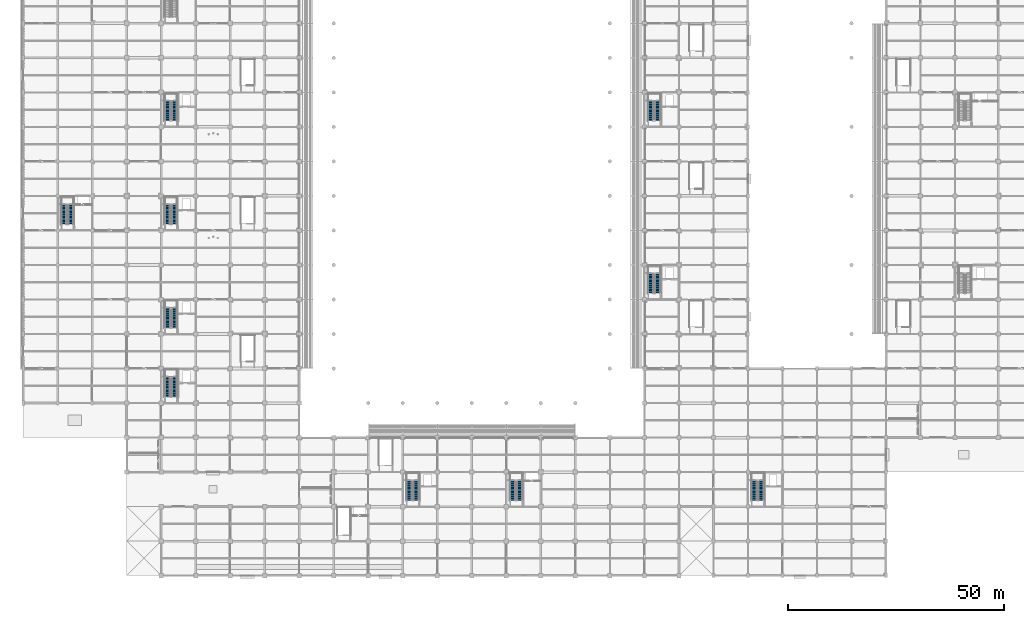
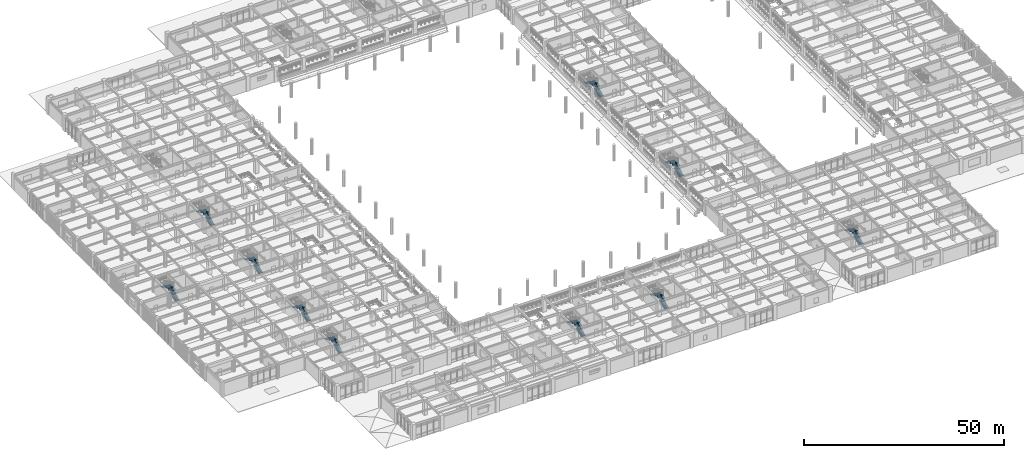
# One storey, part 86 of 117: 20 stair flights, 10 elements without a shape of their own.
"""IFC4 building model written with IfcOpenShell, lengths in metres."""

from ifc_helpers import new_model, si_unit, direction, frame, origin, place, context, subcontext, project, spatial, polyline, outline, extrude, material, type_object, element, aggregate, save


model = new_model("IFC4")

# Units and contexts
model_context = context("Model", 3, precision=1e-05, world=origin(), true_north=direction((0.0, 1.0)))
body_context = subcontext(model_context, "Body", "Model", "MODEL_VIEW")
ifc_project = project(units=[si_unit("LENGTHUNIT", "METRE"), si_unit("AREAUNIT", "SQUARE_METRE"), si_unit("VOLUMEUNIT", "CUBIC_METRE"), si_unit("PLANEANGLEUNIT", "RADIAN"), si_unit("MASSUNIT", "GRAM", prefix="KILO")], contexts=[model_context])

# Site, building, storey
site_placement = place(None, origin())
site = spatial("IfcSite", under=ifc_project, at=site_placement, CompositionType="ELEMENT")
building_placement = place(site_placement, origin())
building = spatial("IfcBuilding", under=site, at=building_placement, Name="Haebicheon Civic Stadium", CompositionType="ELEMENT")
storey_placement = place(building_placement, frame((0.0, 0.0, 4.800048828125)))
storey = spatial("IfcBuildingStorey", under=building, at=storey_placement, Name="L02", CompositionType="ELEMENT", Elevation=4.800048828125)

# Stair, stair flights
ifc_material_1 = material(Name="Concrete C40/50", Category="concrete")
stair_type_1 = type_object("IfcStairType", Name="STR-DL-W126-H48", PredefinedType="HALF_TURN_STAIR", material=ifc_material_1)
stair_1_placement = place(storey_placement, origin())
stair_1 = element("IfcStair", 1, at=stair_1_placement, inside=storey, type_object=stair_type_1, material=ifc_material_1, Name="L02 Escape stair ST-01", PredefinedType="HALF_TURN_STAIR")
ifc_material_2 = material(Name="Concrete C40/50", Category="concrete")
stair_flight_type_1 = type_object("IfcStairFlightType", Name="STF-DL-W126-H48", PredefinedType="STRAIGHT", material=ifc_material_2)
stair_flight_1_placement = place(storey_placement, frame((35.110107421875, 41.449951171875, 0.0), z_axis=(0.0, 0.0, 1.0), x_axis=(0.0, 1.0, 0.0)))
stair_flight_1 = element("IfcStairFlight", 2, at=stair_flight_1_placement, type_object=stair_flight_type_1, material=ifc_material_2, Name="ST-01 flight 1", NumberOfRisers=16, NumberOfTreads=15, PredefinedType="STRAIGHT", RiserHeight=0.15, TreadLength=0.3, context=body_context, shape_type="SweptSolid", body=[
    extrude(outline(polyline([(0.0, 0.0), (0.0, 0.14990234375), (0.300048828125, 0.14990234375), (0.300048828125, 0.300048828125), (0.60009765625, 0.300048828125), (0.60009765625, 0.449951171875), (0.89990234375, 0.449951171875), (0.89990234375, 0.60009765625), (1.199951171875, 0.60009765625), (1.199951171875, 0.75), (1.5, 0.75), (1.5, 0.89990234375), (1.800048828125, 0.89990234375), (1.800048828125, 1.050048828125), (2.10009765625, 1.050048828125), (2.10009765625, 1.199951171875), (2.39990234375, 1.199951171875), (2.39990234375, 1.35009765625), (2.699951171875, 1.35009765625), (2.699951171875, 1.5), (3.0, 1.5), (3.0, 1.64990234375), (3.300048828125, 1.64990234375), (3.300048828125, 1.800048828125), (3.60009765625, 1.800048828125), (3.60009765625, 1.949951171875), (3.89990234375, 1.949951171875), (3.89990234375, 2.10009765625), (4.199951171875, 2.10009765625), (4.199951171875, 2.25), (4.5, 2.25), (4.5, 2.39990234375), (4.5, 2.0712890625), (0.357666015625, 0.0), (0.0, 0.0)])), frame((0.0, 0.6298828125, 0.0), z_axis=(0.0, -1.0, 0.0), x_axis=(1.0, 0.0, 0.0)), (0.0, 0.0, 1.0), 1.260009765625),
])
stair_flight_2_placement = place(storey_placement, frame((33.469970703125, 45.949951171875, 2.39990234375), z_axis=(0.0, 0.0, 1.0), x_axis=(0.0, -1.0, 0.0)))
stair_flight_2 = element("IfcStairFlight", 3, at=stair_flight_2_placement, type_object=stair_flight_type_1, material=ifc_material_2, Name="ST-01 flight 2", NumberOfRisers=16, NumberOfTreads=15, PredefinedType="STRAIGHT", RiserHeight=0.15, TreadLength=0.3, context=body_context, shape_type="SweptSolid", body=[
    extrude(outline(polyline([(0.0, 0.0), (0.0, 0.14990234375), (0.300048828125, 0.14990234375), (0.300048828125, 0.300048828125), (0.60009765625, 0.300048828125), (0.60009765625, 0.449951171875), (0.89990234375, 0.449951171875), (0.89990234375, 0.60009765625), (1.199951171875, 0.60009765625), (1.199951171875, 0.75), (1.5, 0.75), (1.5, 0.89990234375), (1.800048828125, 0.89990234375), (1.800048828125, 1.050048828125), (2.10009765625, 1.050048828125), (2.10009765625, 1.199951171875), (2.39990234375, 1.199951171875), (2.39990234375, 1.35009765625), (2.699951171875, 1.35009765625), (2.699951171875, 1.5), (3.0, 1.5), (3.0, 1.64990234375), (3.300048828125, 1.64990234375), (3.300048828125, 1.800048828125), (3.60009765625, 1.800048828125), (3.60009765625, 1.949951171875), (3.89990234375, 1.949951171875), (3.89990234375, 2.10009765625), (4.199951171875, 2.10009765625), (4.199951171875, 2.25), (4.5, 2.25), (4.5, 2.39990234375), (4.5, 2.0712890625), (0.357666015625, 0.0), (0.0, 0.0)])), frame((0.0, 0.6298828125, 0.0), z_axis=(0.0, -1.0, 0.0), x_axis=(1.0, 0.0, 0.0)), (0.0, 0.0, 1.0), 1.260009765625),
])
aggregate(stair_1, [stair_flight_1, stair_flight_2])

stair_2_placement = place(storey_placement, origin())
stair_2 = element("IfcStair", 4, at=stair_2_placement, inside=storey, type_object=stair_type_1, material=ifc_material_1, Name="L02 Escape stair ST-03", PredefinedType="HALF_TURN_STAIR")
stair_flight_3_placement = place(storey_placement, frame((35.110107421875, 81.449951171875, 0.0), z_axis=(0.0, 0.0, 1.0), x_axis=(0.0, 1.0, 0.0)))
stair_flight_3 = element("IfcStairFlight", 5, at=stair_flight_3_placement, type_object=stair_flight_type_1, material=ifc_material_2, Name="ST-03 flight 1", NumberOfRisers=16, NumberOfTreads=15, PredefinedType="STRAIGHT", RiserHeight=0.15, TreadLength=0.3, context=body_context, shape_type="SweptSolid", body=[
    extrude(outline(polyline([(0.0, 0.0), (0.0, 0.14990234375), (0.300048828125, 0.14990234375), (0.300048828125, 0.300048828125), (0.60009765625, 0.300048828125), (0.60009765625, 0.449951171875), (0.89990234375, 0.449951171875), (0.89990234375, 0.60009765625), (1.199951171875, 0.60009765625), (1.199951171875, 0.75), (1.5, 0.75), (1.5, 0.89990234375), (1.800048828125, 0.89990234375), (1.800048828125, 1.050048828125), (2.10009765625, 1.050048828125), (2.10009765625, 1.199951171875), (2.39990234375, 1.199951171875), (2.39990234375, 1.35009765625), (2.699951171875, 1.35009765625), (2.699951171875, 1.5), (3.0, 1.5), (3.0, 1.64990234375), (3.300048828125, 1.64990234375), (3.300048828125, 1.800048828125), (3.60009765625, 1.800048828125), (3.60009765625, 1.949951171875), (3.89990234375, 1.949951171875), (3.89990234375, 2.10009765625), (4.199951171875, 2.10009765625), (4.199951171875, 2.25), (4.5, 2.25), (4.5, 2.39990234375), (4.5, 2.0712890625), (0.357666015625, 0.0), (0.0, 0.0)])), frame((0.0, 0.6298828125, 0.0), z_axis=(0.0, -1.0, 0.0), x_axis=(1.0, 0.0, 0.0)), (0.0, 0.0, 1.0), 1.260009765625),
])
stair_flight_4_placement = place(storey_placement, frame((33.469970703125, 85.949951171875, 2.39990234375), z_axis=(0.0, 0.0, 1.0), x_axis=(0.0, -1.0, 0.0)))
stair_flight_4 = element("IfcStairFlight", 6, at=stair_flight_4_placement, type_object=stair_flight_type_1, material=ifc_material_2, Name="ST-03 flight 2", NumberOfRisers=16, NumberOfTreads=15, PredefinedType="STRAIGHT", RiserHeight=0.15, TreadLength=0.3, context=body_context, shape_type="SweptSolid", body=[
    extrude(outline(polyline([(0.0, 0.0), (0.0, 0.14990234375), (0.300048828125, 0.14990234375), (0.300048828125, 0.300048828125), (0.60009765625, 0.300048828125), (0.60009765625, 0.449951171875), (0.89990234375, 0.449951171875), (0.89990234375, 0.60009765625), (1.199951171875, 0.60009765625), (1.199951171875, 0.75), (1.5, 0.75), (1.5, 0.89990234375), (1.800048828125, 0.89990234375), (1.800048828125, 1.050048828125), (2.10009765625, 1.050048828125), (2.10009765625, 1.199951171875), (2.39990234375, 1.199951171875), (2.39990234375, 1.35009765625), (2.699951171875, 1.35009765625), (2.699951171875, 1.5), (3.0, 1.5), (3.0, 1.64990234375), (3.300048828125, 1.64990234375), (3.300048828125, 1.800048828125), (3.60009765625, 1.800048828125), (3.60009765625, 1.949951171875), (3.89990234375, 1.949951171875), (3.89990234375, 2.10009765625), (4.199951171875, 2.10009765625), (4.199951171875, 2.25), (4.5, 2.25), (4.5, 2.39990234375), (4.5, 2.0712890625), (0.357666015625, 0.0), (0.0, 0.0)])), frame((0.0, 0.6298828125, 0.0), z_axis=(0.0, -1.0, 0.0), x_axis=(1.0, 0.0, 0.0)), (0.0, 0.0, 1.0), 1.260009765625),
])
aggregate(stair_2, [stair_flight_3, stair_flight_4])

stair_3_placement = place(storey_placement, origin())
stair_3 = element("IfcStair", 7, at=stair_3_placement, inside=storey, type_object=stair_type_1, material=ifc_material_1, Name="L02 Escape stair ST-07", PredefinedType="HALF_TURN_STAIR")
stair_flight_5_placement = place(storey_placement, frame((115.110107421875, 17.449951171875, 0.0), z_axis=(0.0, 0.0, 1.0), x_axis=(0.0, 1.0, 0.0)))
stair_flight_5 = element("IfcStairFlight", 8, at=stair_flight_5_placement, type_object=stair_flight_type_1, material=ifc_material_2, Name="ST-07 flight 1", NumberOfRisers=16, NumberOfTreads=15, PredefinedType="STRAIGHT", RiserHeight=0.15, TreadLength=0.3, context=body_context, shape_type="SweptSolid", body=[
    extrude(outline(polyline([(0.0, 0.0), (0.0, 0.14990234375), (0.300048828125, 0.14990234375), (0.300048828125, 0.300048828125), (0.60009765625, 0.300048828125), (0.60009765625, 0.449951171875), (0.89990234375, 0.449951171875), (0.89990234375, 0.60009765625), (1.199951171875, 0.60009765625), (1.199951171875, 0.75), (1.5, 0.75), (1.5, 0.89990234375), (1.800048828125, 0.89990234375), (1.800048828125, 1.050048828125), (2.10009765625, 1.050048828125), (2.10009765625, 1.199951171875), (2.39990234375, 1.199951171875), (2.39990234375, 1.35009765625), (2.699951171875, 1.35009765625), (2.699951171875, 1.5), (3.0, 1.5), (3.0, 1.64990234375), (3.300048828125, 1.64990234375), (3.300048828125, 1.800048828125), (3.60009765625, 1.800048828125), (3.60009765625, 1.949951171875), (3.89990234375, 1.949951171875), (3.89990234375, 2.10009765625), (4.199951171875, 2.10009765625), (4.199951171875, 2.25), (4.5, 2.25), (4.5, 2.39990234375), (4.5, 2.0712890625), (0.357666015625, 0.0), (0.0, 0.0)])), frame((0.0, 0.6298828125, 0.0), z_axis=(0.0, -1.0, 0.0), x_axis=(1.0, 0.0, 0.0)), (0.0, 0.0, 1.0), 1.260009765625),
])
stair_flight_6_placement = place(storey_placement, frame((113.469970703125, 21.949951171875, 2.39990234375), z_axis=(0.0, 0.0, 1.0), x_axis=(0.0, -1.0, 0.0)))
stair_flight_6 = element("IfcStairFlight", 9, at=stair_flight_6_placement, type_object=stair_flight_type_1, material=ifc_material_2, Name="ST-07 flight 2", NumberOfRisers=16, NumberOfTreads=15, PredefinedType="STRAIGHT", RiserHeight=0.15, TreadLength=0.3, context=body_context, shape_type="SweptSolid", body=[
    extrude(outline(polyline([(0.0, 0.0), (0.0, 0.14990234375), (0.300048828125, 0.14990234375), (0.300048828125, 0.300048828125), (0.60009765625, 0.300048828125), (0.60009765625, 0.449951171875), (0.89990234375, 0.449951171875), (0.89990234375, 0.60009765625), (1.199951171875, 0.60009765625), (1.199951171875, 0.75), (1.5, 0.75), (1.5, 0.89990234375), (1.800048828125, 0.89990234375), (1.800048828125, 1.050048828125), (2.10009765625, 1.050048828125), (2.10009765625, 1.199951171875), (2.39990234375, 1.199951171875), (2.39990234375, 1.35009765625), (2.699951171875, 1.35009765625), (2.699951171875, 1.5), (3.0, 1.5), (3.0, 1.64990234375), (3.300048828125, 1.64990234375), (3.300048828125, 1.800048828125), (3.60009765625, 1.800048828125), (3.60009765625, 1.949951171875), (3.89990234375, 1.949951171875), (3.89990234375, 2.10009765625), (4.199951171875, 2.10009765625), (4.199951171875, 2.25), (4.5, 2.25), (4.5, 2.39990234375), (4.5, 2.0712890625), (0.357666015625, 0.0), (0.0, 0.0)])), frame((0.0, 0.6298828125, 0.0), z_axis=(0.0, -1.0, 0.0), x_axis=(1.0, 0.0, 0.0)), (0.0, 0.0, 1.0), 1.260009765625),
])
aggregate(stair_3, [stair_flight_5, stair_flight_6])

stair_4_placement = place(storey_placement, origin())
stair_4 = element("IfcStair", 10, at=stair_4_placement, inside=storey, type_object=stair_type_1, material=ifc_material_1, Name="L02 Escape stair ST-11", PredefinedType="HALF_TURN_STAIR")
stair_flight_7_placement = place(storey_placement, frame((147.110107421875, 105.449951171875, 0.0), z_axis=(0.0, 0.0, 1.0), x_axis=(0.0, 1.0, 0.0)))
stair_flight_7 = element("IfcStairFlight", 11, at=stair_flight_7_placement, type_object=stair_flight_type_1, material=ifc_material_2, Name="ST-11 flight 1", NumberOfRisers=16, NumberOfTreads=15, PredefinedType="STRAIGHT", RiserHeight=0.15, TreadLength=0.3, context=body_context, shape_type="SweptSolid", body=[
    extrude(outline(polyline([(0.0, 0.0), (0.0, 0.14990234375), (0.300048828125, 0.14990234375), (0.300048828125, 0.300048828125), (0.60009765625, 0.300048828125), (0.60009765625, 0.449951171875), (0.89990234375, 0.449951171875), (0.89990234375, 0.60009765625), (1.199951171875, 0.60009765625), (1.199951171875, 0.75), (1.5, 0.75), (1.5, 0.89990234375), (1.800048828125, 0.89990234375), (1.800048828125, 1.050048828125), (2.10009765625, 1.050048828125), (2.10009765625, 1.199951171875), (2.39990234375, 1.199951171875), (2.39990234375, 1.35009765625), (2.699951171875, 1.35009765625), (2.699951171875, 1.5), (3.0, 1.5), (3.0, 1.64990234375), (3.300048828125, 1.64990234375), (3.300048828125, 1.800048828125), (3.60009765625, 1.800048828125), (3.60009765625, 1.949951171875), (3.89990234375, 1.949951171875), (3.89990234375, 2.10009765625), (4.199951171875, 2.10009765625), (4.199951171875, 2.25), (4.5, 2.25), (4.5, 2.39990234375), (4.5, 2.0712890625), (0.357666015625, 0.0), (0.0, 0.0)])), frame((0.0, 0.6298828125, 0.0), z_axis=(0.0, -1.0, 0.0), x_axis=(1.0, 0.0, 0.0)), (0.0, 0.0, 1.0), 1.260009765625),
])
stair_flight_8_placement = place(storey_placement, frame((145.469970703125, 109.949951171875, 2.39990234375), z_axis=(0.0, 0.0, 1.0), x_axis=(0.0, -1.0, 0.0)))
stair_flight_8 = element("IfcStairFlight", 12, at=stair_flight_8_placement, type_object=stair_flight_type_1, material=ifc_material_2, Name="ST-11 flight 2", NumberOfRisers=16, NumberOfTreads=15, PredefinedType="STRAIGHT", RiserHeight=0.15, TreadLength=0.3, context=body_context, shape_type="SweptSolid", body=[
    extrude(outline(polyline([(0.0, 0.0), (0.0, 0.14990234375), (0.300048828125, 0.14990234375), (0.300048828125, 0.300048828125), (0.60009765625, 0.300048828125), (0.60009765625, 0.449951171875), (0.89990234375, 0.449951171875), (0.89990234375, 0.60009765625), (1.199951171875, 0.60009765625), (1.199951171875, 0.75), (1.5, 0.75), (1.5, 0.89990234375), (1.800048828125, 0.89990234375), (1.800048828125, 1.050048828125), (2.10009765625, 1.050048828125), (2.10009765625, 1.199951171875), (2.39990234375, 1.199951171875), (2.39990234375, 1.35009765625), (2.699951171875, 1.35009765625), (2.699951171875, 1.5), (3.0, 1.5), (3.0, 1.64990234375), (3.300048828125, 1.64990234375), (3.300048828125, 1.800048828125), (3.60009765625, 1.800048828125), (3.60009765625, 1.949951171875), (3.89990234375, 1.949951171875), (3.89990234375, 2.10009765625), (4.199951171875, 2.10009765625), (4.199951171875, 2.25), (4.5, 2.25), (4.5, 2.39990234375), (4.5, 2.0712890625), (0.357666015625, 0.0), (0.0, 0.0)])), frame((0.0, 0.6298828125, 0.0), z_axis=(0.0, -1.0, 0.0), x_axis=(1.0, 0.0, 0.0)), (0.0, 0.0, 1.0), 1.260009765625),
])
aggregate(stair_4, [stair_flight_7, stair_flight_8])

stair_5_placement = place(storey_placement, origin())
stair_5 = element("IfcStair", 13, at=stair_5_placement, inside=storey, type_object=stair_type_1, material=ifc_material_1, Name="L02 Escape stair ST-15", PredefinedType="HALF_TURN_STAIR")
stair_flight_9_placement = place(storey_placement, frame((11.110107421875, 81.449951171875, 0.0), z_axis=(0.0, 0.0, 1.0), x_axis=(0.0, 1.0, 0.0)))
stair_flight_9 = element("IfcStairFlight", 14, at=stair_flight_9_placement, type_object=stair_flight_type_1, material=ifc_material_2, Name="ST-15 flight 1", NumberOfRisers=16, NumberOfTreads=15, PredefinedType="STRAIGHT", RiserHeight=0.15, TreadLength=0.3, context=body_context, shape_type="SweptSolid", body=[
    extrude(outline(polyline([(0.0, 0.0), (0.0, 0.14990234375), (0.300048828125, 0.14990234375), (0.300048828125, 0.300048828125), (0.60009765625, 0.300048828125), (0.60009765625, 0.449951171875), (0.89990234375, 0.449951171875), (0.89990234375, 0.60009765625), (1.199951171875, 0.60009765625), (1.199951171875, 0.75), (1.5, 0.75), (1.5, 0.89990234375), (1.800048828125, 0.89990234375), (1.800048828125, 1.050048828125), (2.10009765625, 1.050048828125), (2.10009765625, 1.199951171875), (2.39990234375, 1.199951171875), (2.39990234375, 1.35009765625), (2.699951171875, 1.35009765625), (2.699951171875, 1.5), (3.0, 1.5), (3.0, 1.64990234375), (3.300048828125, 1.64990234375), (3.300048828125, 1.800048828125), (3.60009765625, 1.800048828125), (3.60009765625, 1.949951171875), (3.89990234375, 1.949951171875), (3.89990234375, 2.10009765625), (4.199951171875, 2.10009765625), (4.199951171875, 2.25), (4.5, 2.25), (4.5, 2.39990234375), (4.5, 2.0712890625), (0.357666015625, 0.0), (0.0, 0.0)])), frame((0.0, 0.6298828125, 0.0), z_axis=(0.0, -1.0, 0.0), x_axis=(1.0, 0.0, 0.0)), (0.0, 0.0, 1.0), 1.260009765625),
])
stair_flight_10_placement = place(storey_placement, frame((9.469970703125, 85.949951171875, 2.39990234375), z_axis=(0.0, 0.0, 1.0), x_axis=(0.0, -1.0, 0.0)))
stair_flight_10 = element("IfcStairFlight", 15, at=stair_flight_10_placement, type_object=stair_flight_type_1, material=ifc_material_2, Name="ST-15 flight 2", NumberOfRisers=16, NumberOfTreads=15, PredefinedType="STRAIGHT", RiserHeight=0.15, TreadLength=0.3, context=body_context, shape_type="SweptSolid", body=[
    extrude(outline(polyline([(0.0, 0.0), (0.0, 0.14990234375), (0.300048828125, 0.14990234375), (0.300048828125, 0.300048828125), (0.60009765625, 0.300048828125), (0.60009765625, 0.449951171875), (0.89990234375, 0.449951171875), (0.89990234375, 0.60009765625), (1.199951171875, 0.60009765625), (1.199951171875, 0.75), (1.5, 0.75), (1.5, 0.89990234375), (1.800048828125, 0.89990234375), (1.800048828125, 1.050048828125), (2.10009765625, 1.050048828125), (2.10009765625, 1.199951171875), (2.39990234375, 1.199951171875), (2.39990234375, 1.35009765625), (2.699951171875, 1.35009765625), (2.699951171875, 1.5), (3.0, 1.5), (3.0, 1.64990234375), (3.300048828125, 1.64990234375), (3.300048828125, 1.800048828125), (3.60009765625, 1.800048828125), (3.60009765625, 1.949951171875), (3.89990234375, 1.949951171875), (3.89990234375, 2.10009765625), (4.199951171875, 2.10009765625), (4.199951171875, 2.25), (4.5, 2.25), (4.5, 2.39990234375), (4.5, 2.0712890625), (0.357666015625, 0.0), (0.0, 0.0)])), frame((0.0, 0.6298828125, 0.0), z_axis=(0.0, -1.0, 0.0), x_axis=(1.0, 0.0, 0.0)), (0.0, 0.0, 1.0), 1.260009765625),
])
aggregate(stair_5, [stair_flight_9, stair_flight_10])

ifc_material_3 = material(Name="Concrete C40/50", Category="concrete")
stair_type_2 = type_object("IfcStairType", Name="STR-DL-W128-H48", PredefinedType="HALF_TURN_STAIR", material=ifc_material_3)
stair_6_placement = place(storey_placement, origin())
stair_6 = element("IfcStair", 16, at=stair_6_placement, inside=storey, type_object=stair_type_2, material=ifc_material_3, Name="L02 Escape stair ST-02", PredefinedType="HALF_TURN_STAIR")
ifc_material_4 = material(Name="Concrete C40/50", Category="concrete")
stair_flight_type_2 = type_object("IfcStairFlightType", Name="STF-DL-W128-H48", PredefinedType="STRAIGHT", material=ifc_material_4)
stair_flight_11_placement = place(storey_placement, frame((35.10009765625, 57.449951171875, 0.0), z_axis=(0.0, 0.0, 1.0), x_axis=(0.0, 1.0, 0.0)))
stair_flight_11 = element("IfcStairFlight", 17, at=stair_flight_11_placement, type_object=stair_flight_type_2, material=ifc_material_4, Name="ST-02 flight 1", NumberOfRisers=16, NumberOfTreads=15, PredefinedType="STRAIGHT", RiserHeight=0.15, TreadLength=0.3, context=body_context, shape_type="SweptSolid", body=[
    extrude(outline(polyline([(0.0, 0.0), (0.0, 0.14990234375), (0.300048828125, 0.14990234375), (0.300048828125, 0.300048828125), (0.60009765625, 0.300048828125), (0.60009765625, 0.449951171875), (0.89990234375, 0.449951171875), (0.89990234375, 0.60009765625), (1.199951171875, 0.60009765625), (1.199951171875, 0.75), (1.5, 0.75), (1.5, 0.89990234375), (1.800048828125, 0.89990234375), (1.800048828125, 1.050048828125), (2.10009765625, 1.050048828125), (2.10009765625, 1.199951171875), (2.39990234375, 1.199951171875), (2.39990234375, 1.35009765625), (2.699951171875, 1.35009765625), (2.699951171875, 1.5), (3.0, 1.5), (3.0, 1.64990234375), (3.300048828125, 1.64990234375), (3.300048828125, 1.800048828125), (3.60009765625, 1.800048828125), (3.60009765625, 1.949951171875), (3.89990234375, 1.949951171875), (3.89990234375, 2.10009765625), (4.199951171875, 2.10009765625), (4.199951171875, 2.25), (4.5, 2.25), (4.5, 2.39990234375), (4.5, 2.0712890625), (0.357666015625, 0.0), (0.0, 0.0)])), frame((0.0, 0.64013671875, 0.0), z_axis=(0.0, -1.0, 0.0), x_axis=(1.0, 0.0, 0.0)), (0.0, 0.0, 1.0), 1.280029296875),
])
stair_flight_12_placement = place(storey_placement, frame((33.47998046875, 61.949951171875, 2.39990234375), z_axis=(0.0, 0.0, 1.0), x_axis=(0.0, -1.0, 0.0)))
stair_flight_12 = element("IfcStairFlight", 18, at=stair_flight_12_placement, type_object=stair_flight_type_2, material=ifc_material_4, Name="ST-02 flight 2", NumberOfRisers=16, NumberOfTreads=15, PredefinedType="STRAIGHT", RiserHeight=0.15, TreadLength=0.3, context=body_context, shape_type="SweptSolid", body=[
    extrude(outline(polyline([(0.0, 0.0), (0.0, 0.14990234375), (0.300048828125, 0.14990234375), (0.300048828125, 0.300048828125), (0.60009765625, 0.300048828125), (0.60009765625, 0.449951171875), (0.89990234375, 0.449951171875), (0.89990234375, 0.60009765625), (1.199951171875, 0.60009765625), (1.199951171875, 0.75), (1.5, 0.75), (1.5, 0.89990234375), (1.800048828125, 0.89990234375), (1.800048828125, 1.050048828125), (2.10009765625, 1.050048828125), (2.10009765625, 1.199951171875), (2.39990234375, 1.199951171875), (2.39990234375, 1.35009765625), (2.699951171875, 1.35009765625), (2.699951171875, 1.5), (3.0, 1.5), (3.0, 1.64990234375), (3.300048828125, 1.64990234375), (3.300048828125, 1.800048828125), (3.60009765625, 1.800048828125), (3.60009765625, 1.949951171875), (3.89990234375, 1.949951171875), (3.89990234375, 2.10009765625), (4.199951171875, 2.10009765625), (4.199951171875, 2.25), (4.5, 2.25), (4.5, 2.39990234375), (4.5, 2.0712890625), (0.357666015625, 0.0), (0.0, 0.0)])), frame((0.0, 0.64013671875, 0.0), z_axis=(0.0, -1.0, 0.0), x_axis=(1.0, 0.0, 0.0)), (0.0, 0.0, 1.0), 1.280029296875),
])
aggregate(stair_6, [stair_flight_11, stair_flight_12])

stair_7_placement = place(storey_placement, origin())
stair_7 = element("IfcStair", 19, at=stair_7_placement, inside=storey, type_object=stair_type_2, material=ifc_material_3, Name="L02 Escape stair ST-04", PredefinedType="HALF_TURN_STAIR")
stair_flight_13_placement = place(storey_placement, frame((35.10009765625, 105.449951171875, 0.0), z_axis=(0.0, 0.0, 1.0), x_axis=(0.0, 1.0, 0.0)))
stair_flight_13 = element("IfcStairFlight", 20, at=stair_flight_13_placement, type_object=stair_flight_type_2, material=ifc_material_4, Name="ST-04 flight 1", NumberOfRisers=16, NumberOfTreads=15, PredefinedType="STRAIGHT", RiserHeight=0.15, TreadLength=0.3, context=body_context, shape_type="SweptSolid", body=[
    extrude(outline(polyline([(0.0, 0.0), (0.0, 0.14990234375), (0.300048828125, 0.14990234375), (0.300048828125, 0.300048828125), (0.60009765625, 0.300048828125), (0.60009765625, 0.449951171875), (0.89990234375, 0.449951171875), (0.89990234375, 0.60009765625), (1.199951171875, 0.60009765625), (1.199951171875, 0.75), (1.5, 0.75), (1.5, 0.89990234375), (1.800048828125, 0.89990234375), (1.800048828125, 1.050048828125), (2.10009765625, 1.050048828125), (2.10009765625, 1.199951171875), (2.39990234375, 1.199951171875), (2.39990234375, 1.35009765625), (2.699951171875, 1.35009765625), (2.699951171875, 1.5), (3.0, 1.5), (3.0, 1.64990234375), (3.300048828125, 1.64990234375), (3.300048828125, 1.800048828125), (3.60009765625, 1.800048828125), (3.60009765625, 1.949951171875), (3.89990234375, 1.949951171875), (3.89990234375, 2.10009765625), (4.199951171875, 2.10009765625), (4.199951171875, 2.25), (4.5, 2.25), (4.5, 2.39990234375), (4.5, 2.0712890625), (0.357666015625, 0.0), (0.0, 0.0)])), frame((0.0, 0.64013671875, 0.0), z_axis=(0.0, -1.0, 0.0), x_axis=(1.0, 0.0, 0.0)), (0.0, 0.0, 1.0), 1.280029296875),
])
stair_flight_14_placement = place(storey_placement, frame((33.47998046875, 109.949951171875, 2.39990234375), z_axis=(0.0, 0.0, 1.0), x_axis=(0.0, -1.0, 0.0)))
stair_flight_14 = element("IfcStairFlight", 21, at=stair_flight_14_placement, type_object=stair_flight_type_2, material=ifc_material_4, Name="ST-04 flight 2", NumberOfRisers=16, NumberOfTreads=15, PredefinedType="STRAIGHT", RiserHeight=0.15, TreadLength=0.3, context=body_context, shape_type="SweptSolid", body=[
    extrude(outline(polyline([(0.0, 0.0), (0.0, 0.14990234375), (0.300048828125, 0.14990234375), (0.300048828125, 0.300048828125), (0.60009765625, 0.300048828125), (0.60009765625, 0.449951171875), (0.89990234375, 0.449951171875), (0.89990234375, 0.60009765625), (1.199951171875, 0.60009765625), (1.199951171875, 0.75), (1.5, 0.75), (1.5, 0.89990234375), (1.800048828125, 0.89990234375), (1.800048828125, 1.050048828125), (2.10009765625, 1.050048828125), (2.10009765625, 1.199951171875), (2.39990234375, 1.199951171875), (2.39990234375, 1.35009765625), (2.699951171875, 1.35009765625), (2.699951171875, 1.5), (3.0, 1.5), (3.0, 1.64990234375), (3.300048828125, 1.64990234375), (3.300048828125, 1.800048828125), (3.60009765625, 1.800048828125), (3.60009765625, 1.949951171875), (3.89990234375, 1.949951171875), (3.89990234375, 2.10009765625), (4.199951171875, 2.10009765625), (4.199951171875, 2.25), (4.5, 2.25), (4.5, 2.39990234375), (4.5, 2.0712890625), (0.357666015625, 0.0), (0.0, 0.0)])), frame((0.0, 0.64013671875, 0.0), z_axis=(0.0, -1.0, 0.0), x_axis=(1.0, 0.0, 0.0)), (0.0, 0.0, 1.0), 1.280029296875),
])
aggregate(stair_7, [stair_flight_13, stair_flight_14])

stair_8_placement = place(storey_placement, origin())
stair_8 = element("IfcStair", 22, at=stair_8_placement, inside=storey, type_object=stair_type_2, material=ifc_material_3, Name="L02 Escape stair ST-06", PredefinedType="HALF_TURN_STAIR")
stair_flight_15_placement = place(storey_placement, frame((91.10009765625, 17.449951171875, 0.0), z_axis=(0.0, 0.0, 1.0), x_axis=(0.0, 1.0, 0.0)))
stair_flight_15 = element("IfcStairFlight", 23, at=stair_flight_15_placement, type_object=stair_flight_type_2, material=ifc_material_4, Name="ST-06 flight 1", NumberOfRisers=16, NumberOfTreads=15, PredefinedType="STRAIGHT", RiserHeight=0.15, TreadLength=0.3, context=body_context, shape_type="SweptSolid", body=[
    extrude(outline(polyline([(0.0, 0.0), (0.0, 0.14990234375), (0.300048828125, 0.14990234375), (0.300048828125, 0.300048828125), (0.60009765625, 0.300048828125), (0.60009765625, 0.449951171875), (0.89990234375, 0.449951171875), (0.89990234375, 0.60009765625), (1.199951171875, 0.60009765625), (1.199951171875, 0.75), (1.5, 0.75), (1.5, 0.89990234375), (1.800048828125, 0.89990234375), (1.800048828125, 1.050048828125), (2.10009765625, 1.050048828125), (2.10009765625, 1.199951171875), (2.39990234375, 1.199951171875), (2.39990234375, 1.35009765625), (2.699951171875, 1.35009765625), (2.699951171875, 1.5), (3.0, 1.5), (3.0, 1.64990234375), (3.300048828125, 1.64990234375), (3.300048828125, 1.800048828125), (3.60009765625, 1.800048828125), (3.60009765625, 1.949951171875), (3.89990234375, 1.949951171875), (3.89990234375, 2.10009765625), (4.199951171875, 2.10009765625), (4.199951171875, 2.25), (4.5, 2.25), (4.5, 2.39990234375), (4.5, 2.0712890625), (0.357666015625, 0.0), (0.0, 0.0)])), frame((0.0, 0.64013671875, 0.0), z_axis=(0.0, -1.0, 0.0), x_axis=(1.0, 0.0, 0.0)), (0.0, 0.0, 1.0), 1.280029296875),
])
stair_flight_16_placement = place(storey_placement, frame((89.47998046875, 21.949951171875, 2.39990234375), z_axis=(0.0, 0.0, 1.0), x_axis=(0.0, -1.0, 0.0)))
stair_flight_16 = element("IfcStairFlight", 24, at=stair_flight_16_placement, type_object=stair_flight_type_2, material=ifc_material_4, Name="ST-06 flight 2", NumberOfRisers=16, NumberOfTreads=15, PredefinedType="STRAIGHT", RiserHeight=0.15, TreadLength=0.3, context=body_context, shape_type="SweptSolid", body=[
    extrude(outline(polyline([(0.0, 0.0), (0.0, 0.14990234375), (0.300048828125, 0.14990234375), (0.300048828125, 0.300048828125), (0.60009765625, 0.300048828125), (0.60009765625, 0.449951171875), (0.89990234375, 0.449951171875), (0.89990234375, 0.60009765625), (1.199951171875, 0.60009765625), (1.199951171875, 0.75), (1.5, 0.75), (1.5, 0.89990234375), (1.800048828125, 0.89990234375), (1.800048828125, 1.050048828125), (2.10009765625, 1.050048828125), (2.10009765625, 1.199951171875), (2.39990234375, 1.199951171875), (2.39990234375, 1.35009765625), (2.699951171875, 1.35009765625), (2.699951171875, 1.5), (3.0, 1.5), (3.0, 1.64990234375), (3.300048828125, 1.64990234375), (3.300048828125, 1.800048828125), (3.60009765625, 1.800048828125), (3.60009765625, 1.949951171875), (3.89990234375, 1.949951171875), (3.89990234375, 2.10009765625), (4.199951171875, 2.10009765625), (4.199951171875, 2.25), (4.5, 2.25), (4.5, 2.39990234375), (4.5, 2.0712890625), (0.357666015625, 0.0), (0.0, 0.0)])), frame((0.0, 0.64013671875, 0.0), z_axis=(0.0, -1.0, 0.0), x_axis=(1.0, 0.0, 0.0)), (0.0, 0.0, 1.0), 1.280029296875),
])
aggregate(stair_8, [stair_flight_15, stair_flight_16])

stair_9_placement = place(storey_placement, origin())
stair_9 = element("IfcStair", 25, at=stair_9_placement, inside=storey, type_object=stair_type_2, material=ifc_material_3, Name="L02 Escape stair ST-10", PredefinedType="HALF_TURN_STAIR")
stair_flight_17_placement = place(storey_placement, frame((147.10009765625, 65.449951171875, 0.0), z_axis=(0.0, 0.0, 1.0), x_axis=(0.0, 1.0, 0.0)))
stair_flight_17 = element("IfcStairFlight", 26, at=stair_flight_17_placement, type_object=stair_flight_type_2, material=ifc_material_4, Name="ST-10 flight 1", NumberOfRisers=16, NumberOfTreads=15, PredefinedType="STRAIGHT", RiserHeight=0.15, TreadLength=0.3, context=body_context, shape_type="SweptSolid", body=[
    extrude(outline(polyline([(0.0, 0.0), (0.0, 0.14990234375), (0.300048828125, 0.14990234375), (0.300048828125, 0.300048828125), (0.60009765625, 0.300048828125), (0.60009765625, 0.449951171875), (0.89990234375, 0.449951171875), (0.89990234375, 0.60009765625), (1.199951171875, 0.60009765625), (1.199951171875, 0.75), (1.5, 0.75), (1.5, 0.89990234375), (1.800048828125, 0.89990234375), (1.800048828125, 1.050048828125), (2.10009765625, 1.050048828125), (2.10009765625, 1.199951171875), (2.39990234375, 1.199951171875), (2.39990234375, 1.35009765625), (2.699951171875, 1.35009765625), (2.699951171875, 1.5), (3.0, 1.5), (3.0, 1.64990234375), (3.300048828125, 1.64990234375), (3.300048828125, 1.800048828125), (3.60009765625, 1.800048828125), (3.60009765625, 1.949951171875), (3.89990234375, 1.949951171875), (3.89990234375, 2.10009765625), (4.199951171875, 2.10009765625), (4.199951171875, 2.25), (4.5, 2.25), (4.5, 2.39990234375), (4.5, 2.0712890625), (0.357666015625, 0.0), (0.0, 0.0)])), frame((0.0, 0.64013671875, 0.0), z_axis=(0.0, -1.0, 0.0), x_axis=(1.0, 0.0, 0.0)), (0.0, 0.0, 1.0), 1.280029296875),
])
stair_flight_18_placement = place(storey_placement, frame((145.47998046875, 69.949951171875, 2.39990234375), z_axis=(0.0, 0.0, 1.0), x_axis=(0.0, -1.0, 0.0)))
stair_flight_18 = element("IfcStairFlight", 27, at=stair_flight_18_placement, type_object=stair_flight_type_2, material=ifc_material_4, Name="ST-10 flight 2", NumberOfRisers=16, NumberOfTreads=15, PredefinedType="STRAIGHT", RiserHeight=0.15, TreadLength=0.3, context=body_context, shape_type="SweptSolid", body=[
    extrude(outline(polyline([(0.0, 0.0), (0.0, 0.14990234375), (0.300048828125, 0.14990234375), (0.300048828125, 0.300048828125), (0.60009765625, 0.300048828125), (0.60009765625, 0.449951171875), (0.89990234375, 0.449951171875), (0.89990234375, 0.60009765625), (1.199951171875, 0.60009765625), (1.199951171875, 0.75), (1.5, 0.75), (1.5, 0.89990234375), (1.800048828125, 0.89990234375), (1.800048828125, 1.050048828125), (2.10009765625, 1.050048828125), (2.10009765625, 1.199951171875), (2.39990234375, 1.199951171875), (2.39990234375, 1.35009765625), (2.699951171875, 1.35009765625), (2.699951171875, 1.5), (3.0, 1.5), (3.0, 1.64990234375), (3.300048828125, 1.64990234375), (3.300048828125, 1.800048828125), (3.60009765625, 1.800048828125), (3.60009765625, 1.949951171875), (3.89990234375, 1.949951171875), (3.89990234375, 2.10009765625), (4.199951171875, 2.10009765625), (4.199951171875, 2.25), (4.5, 2.25), (4.5, 2.39990234375), (4.5, 2.0712890625), (0.357666015625, 0.0), (0.0, 0.0)])), frame((0.0, 0.64013671875, 0.0), z_axis=(0.0, -1.0, 0.0), x_axis=(1.0, 0.0, 0.0)), (0.0, 0.0, 1.0), 1.280029296875),
])
aggregate(stair_9, [stair_flight_17, stair_flight_18])

stair_10_placement = place(storey_placement, origin())
stair_10 = element("IfcStair", 28, at=stair_10_placement, inside=storey, type_object=stair_type_2, material=ifc_material_3, Name="L02 Escape stair ST-14", PredefinedType="HALF_TURN_STAIR")
stair_flight_19_placement = place(storey_placement, frame((171.10009765625, 17.449951171875, 0.0), z_axis=(0.0, 0.0, 1.0), x_axis=(0.0, 1.0, 0.0)))
stair_flight_19 = element("IfcStairFlight", 29, at=stair_flight_19_placement, type_object=stair_flight_type_2, material=ifc_material_4, Name="ST-14 flight 1", NumberOfRisers=16, NumberOfTreads=15, PredefinedType="STRAIGHT", RiserHeight=0.15, TreadLength=0.3, context=body_context, shape_type="SweptSolid", body=[
    extrude(outline(polyline([(0.0, 0.0), (0.0, 0.14990234375), (0.300048828125, 0.14990234375), (0.300048828125, 0.300048828125), (0.60009765625, 0.300048828125), (0.60009765625, 0.449951171875), (0.89990234375, 0.449951171875), (0.89990234375, 0.60009765625), (1.199951171875, 0.60009765625), (1.199951171875, 0.75), (1.5, 0.75), (1.5, 0.89990234375), (1.800048828125, 0.89990234375), (1.800048828125, 1.050048828125), (2.10009765625, 1.050048828125), (2.10009765625, 1.199951171875), (2.39990234375, 1.199951171875), (2.39990234375, 1.35009765625), (2.699951171875, 1.35009765625), (2.699951171875, 1.5), (3.0, 1.5), (3.0, 1.64990234375), (3.300048828125, 1.64990234375), (3.300048828125, 1.800048828125), (3.60009765625, 1.800048828125), (3.60009765625, 1.949951171875), (3.89990234375, 1.949951171875), (3.89990234375, 2.10009765625), (4.199951171875, 2.10009765625), (4.199951171875, 2.25), (4.5, 2.25), (4.5, 2.39990234375), (4.5, 2.0712890625), (0.357666015625, 0.0), (0.0, 0.0)])), frame((0.0, 0.64013671875, 0.0), z_axis=(0.0, -1.0, 0.0), x_axis=(1.0, 0.0, 0.0)), (0.0, 0.0, 1.0), 1.280029296875),
])
stair_flight_20_placement = place(storey_placement, frame((169.47998046875, 21.949951171875, 2.39990234375), z_axis=(0.0, 0.0, 1.0), x_axis=(0.0, -1.0, 0.0)))
stair_flight_20 = element("IfcStairFlight", 30, at=stair_flight_20_placement, type_object=stair_flight_type_2, material=ifc_material_4, Name="ST-14 flight 2", NumberOfRisers=16, NumberOfTreads=15, PredefinedType="STRAIGHT", RiserHeight=0.15, TreadLength=0.3, context=body_context, shape_type="SweptSolid", body=[
    extrude(outline(polyline([(0.0, 0.0), (0.0, 0.14990234375), (0.300048828125, 0.14990234375), (0.300048828125, 0.300048828125), (0.60009765625, 0.300048828125), (0.60009765625, 0.449951171875), (0.89990234375, 0.449951171875), (0.89990234375, 0.60009765625), (1.199951171875, 0.60009765625), (1.199951171875, 0.75), (1.5, 0.75), (1.5, 0.89990234375), (1.800048828125, 0.89990234375), (1.800048828125, 1.050048828125), (2.10009765625, 1.050048828125), (2.10009765625, 1.199951171875), (2.39990234375, 1.199951171875), (2.39990234375, 1.35009765625), (2.699951171875, 1.35009765625), (2.699951171875, 1.5), (3.0, 1.5), (3.0, 1.64990234375), (3.300048828125, 1.64990234375), (3.300048828125, 1.800048828125), (3.60009765625, 1.800048828125), (3.60009765625, 1.949951171875), (3.89990234375, 1.949951171875), (3.89990234375, 2.10009765625), (4.199951171875, 2.10009765625), (4.199951171875, 2.25), (4.5, 2.25), (4.5, 2.39990234375), (4.5, 2.0712890625), (0.357666015625, 0.0), (0.0, 0.0)])), frame((0.0, 0.64013671875, 0.0), z_axis=(0.0, -1.0, 0.0), x_axis=(1.0, 0.0, 0.0)), (0.0, 0.0, 1.0), 1.280029296875),
])
aggregate(stair_10, [stair_flight_19, stair_flight_20])

save(model, "model.ifc")
